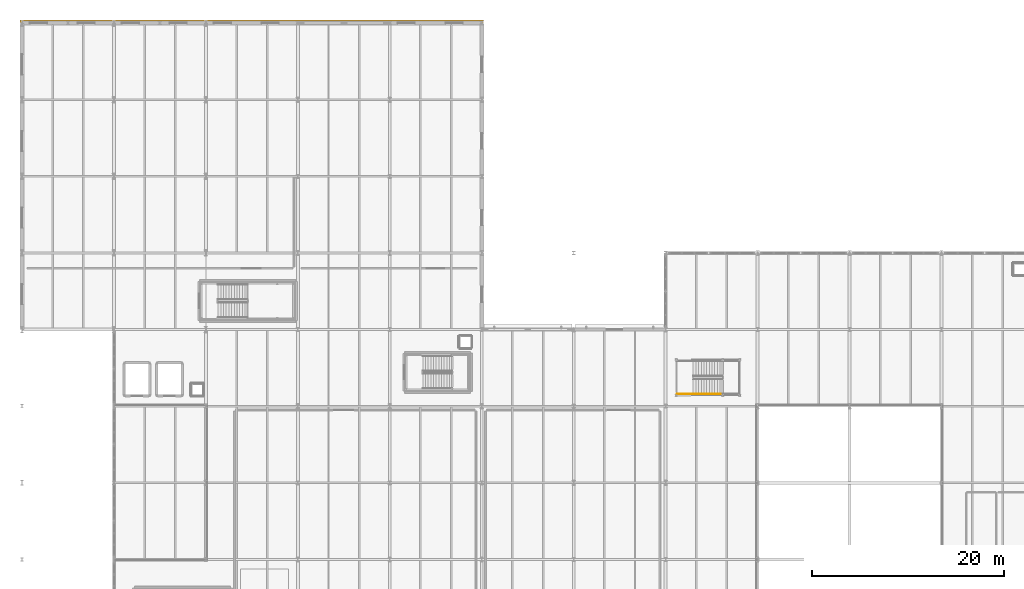
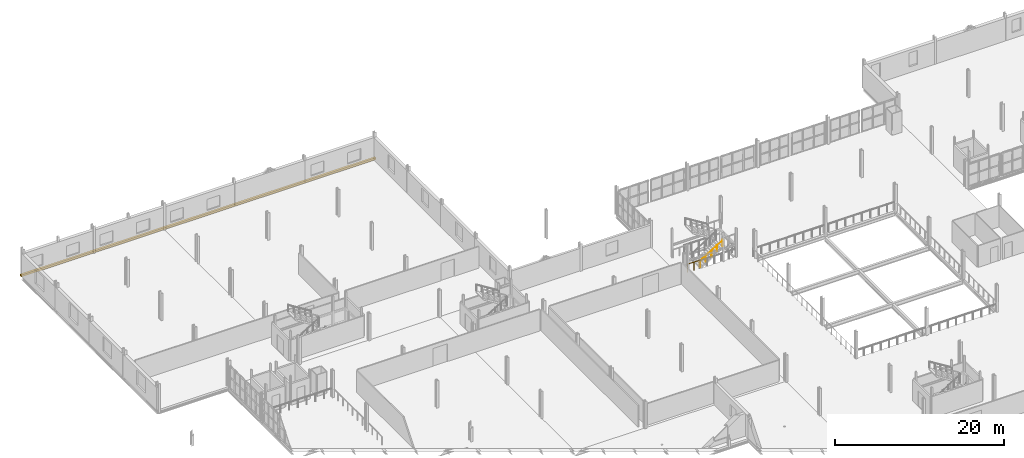
# One storey, part 73 of 78: 2 railings, 1 covering.
"""IFC4 building model written with IfcOpenShell, lengths in metres."""

import ifcopenshell
import ifcopenshell.guid

model = None  # the IFC model being written
_history = None  # IfcOwnerHistory: only IFC2X3 demands one
_inside = {}  # id of a spatial element -> (the spatial element, [elements in it])
_under = {}  # id of a project, library or spatial element -> (it, [spatial elements below it])
_declared = {}  # id of a project -> (the project, [libraries it declares])
_typed = {}  # id of a type object -> (the type object, [elements of that type])
_made_of = {}  # id of a material, layer set ... -> (it, [elements and type objects made of it])


def new_model(schema):
    """Start an empty IFC model of exactly this schema.

    Asked for "IFC4X3", IfcOpenShell would pick the latest addendum, in which some entities
    have other attributes; the version numbers below select the first issue.
    IFC2X3 requires an IfcOwnerHistory on every rooted entity: one is made here for all.
    """
    global model, _history
    if schema == "IFC4X3":
        model = ifcopenshell.file(schema_version=(4, 3, 0, 0))
    else:
        model = ifcopenshell.file(schema=schema)
    _inside.clear()
    _under.clear()
    _declared.clear()
    _typed.clear()
    _made_of.clear()
    _history = None
    if model.schema == "IFC2X3":
        org = make("IfcOrganization", Name="unknown")
        user = make(
            "IfcPersonAndOrganization",
            ThePerson=make("IfcPerson", FamilyName="unknown"),
            TheOrganization=org,
        )
        app = make(
            "IfcApplication",
            ApplicationDeveloper=org,
            Version="unknown",
            ApplicationFullName="unknown",
            ApplicationIdentifier="unknown",
        )
        _history = make(
            "IfcOwnerHistory",
            OwningUser=user,
            OwningApplication=app,
            ChangeAction="ADDED",
            CreationDate=0,
        )
    return model


def make(cls, **values):
    """One entity of the class cls with the attributes given. An attribute that is None is left unset."""
    return model.create_entity(
        cls, **{name: value for name, value in values.items() if value is not None}
    )


def rooted(cls, **values):
    """An entity with a GlobalId (a new one), such as an element, a storey or a relation."""
    return make(cls, GlobalId=ifcopenshell.guid.new(), OwnerHistory=_history, **values)


def si_unit(unit_type, name, prefix=None):
    """IfcSIUnit, for example si_unit("LENGTHUNIT", "METRE", prefix="MILLI")."""
    return make("IfcSIUnit", UnitType=unit_type, Prefix=prefix, Name=name)


def assignment(units):
    """IfcUnitAssignment: the units of a project."""
    return None if units is None else make("IfcUnitAssignment", Units=units)


def point(xyz):
    """IfcCartesianPoint."""
    return None if xyz is None else make("IfcCartesianPoint", Coordinates=xyz)


def direction(xyz):
    """IfcDirection."""
    return None if xyz is None else make("IfcDirection", DirectionRatios=xyz)


def frame(location, z_axis=None, x_axis=None):
    """IfcAxis2Placement3D, a coordinate frame: its origin and axes. An axis left out is left unset."""
    return make(
        "IfcAxis2Placement3D",
        Location=point(location),
        Axis=direction(z_axis),
        RefDirection=direction(x_axis),
    )


def frame_2d(location, x_axis=None):
    """IfcAxis2Placement2D, a coordinate frame in the plane: its origin and x axis."""
    return make(
        "IfcAxis2Placement2D", Location=point(location), RefDirection=direction(x_axis)
    )


def origin():
    """The frame at (0, 0, 0) with its axes left unset."""
    return frame((0.0, 0.0, 0.0))


def origin_2d():
    """The frame at (0, 0) in the plane with its x axis left unset."""
    return frame_2d((0.0, 0.0))


def place(relative_to, where):
    """IfcLocalPlacement: puts the frame where relative to a parent placement (None: the world)."""
    return make(
        "IfcLocalPlacement", PlacementRelTo=relative_to, RelativePlacement=where
    )


def context(
    kind, dimensions, precision=None, world=None, true_north=None, identifier=None
):
    """IfcGeometricRepresentationContext, for example the 3D "Model" context."""
    return make(
        "IfcGeometricRepresentationContext",
        ContextIdentifier=identifier,
        ContextType=kind,
        CoordinateSpaceDimension=dimensions,
        Precision=precision,
        WorldCoordinateSystem=world,
        TrueNorth=true_north,
    )


def subcontext(parent, identifier, kind, view, scale=None):
    """IfcGeometricRepresentationSubContext, for example "Body" below "Model"."""
    return make(
        "IfcGeometricRepresentationSubContext",
        ContextIdentifier=identifier,
        ContextType=kind,
        ParentContext=parent,
        TargetScale=scale,
        TargetView=view,
    )


def project(units=None, contexts=None):
    """IfcProject with its units and contexts."""
    return rooted(
        "IfcProject",
        Name="project",
        RepresentationContexts=contexts,
        UnitsInContext=assignment(units),
    )


def spatial(cls, under=None, at=None, **own):
    """A site, building, storey or space (cls), placed at a placement, below another one or the project."""
    s = rooted(cls, ObjectPlacement=at, **own)
    if under is not None:
        _under.setdefault(under.id(), (under, []))[1].append(s)
    return s


def profile(cls, at=None, kind="AREA", **sizes):
    """A parametric profile (cls). Its sizes go by their IFC names, for example OverallWidth=200.0."""
    return make(cls, ProfileType=kind, Position=at, **sizes)


def rectangle(**sizes):
    """IfcRectangleProfileDef."""
    return profile("IfcRectangleProfileDef", **sizes)


def circle(**sizes):
    """IfcCircleProfileDef."""
    return profile("IfcCircleProfileDef", **sizes)


def extrude(swept, where, along, depth):
    """IfcExtrudedAreaSolid: the profile swept, set in the frame where, extruded along a direction by depth."""
    return make(
        "IfcExtrudedAreaSolid",
        SweptArea=swept,
        Position=where,
        ExtrudedDirection=direction(along),
        Depth=depth,
    )


def shape(context_of_items, identifier, shape_type, items):
    """IfcShapeRepresentation: the items that make up one representation, for example the "Body"."""
    return make(
        "IfcShapeRepresentation",
        ContextOfItems=context_of_items,
        RepresentationIdentifier=identifier,
        RepresentationType=shape_type,
        Items=items,
    )


def material(Name=None, Category=None):
    """IfcMaterial."""
    return make("IfcMaterial", Name=Name, Category=Category)


def layer(
    of_material, thickness, ventilated=None, Name=None, Category=None, Priority=None
):
    """IfcMaterialLayer: one layer of a wall or slab, of a material (None: an air gap)."""
    return make(
        "IfcMaterialLayer",
        Material=of_material,
        LayerThickness=thickness,
        IsVentilated=ventilated,
        Name=Name,
        Category=Category,
        Priority=Priority,
    )


def layer_set(layers, Name=None):
    """IfcMaterialLayerSet."""
    return make("IfcMaterialLayerSet", MaterialLayers=layers, LayerSetName=Name)


def made_of(thing, what):
    """Note that an element or type object is made of a material, layer set ...; save() writes the relation."""
    if what is not None:
        _made_of.setdefault(what.id(), (what, []))[1].append(thing)
    return thing


def type_object(cls, material=None, **own):
    """A type object (cls), such as IfcWallType, which elements share."""
    return made_of(rooted(cls, **own), material)


def element(
    cls,
    number,
    at=None,
    inside=None,
    cuts=None,
    type_object=None,
    material=None,
    context=None,
    identifier="Body",
    shape_type=None,
    held_by="IfcProductDefinitionShape",
    body=None,
    shapes=None,
    **own,
):
    """One element of the class cls, such as IfcWall. Its Tag is "e" and its number.

    at: its placement. inside: the storey or other place that contains it. cuts: it is an
    opening in that element (IfcRelVoidsElement). A single representation is given by context,
    identifier, shape_type and body (its items); several are given by shapes. held_by: the class
    of the entity that holds the representations. save() writes the other relations.
    """
    e = rooted(cls, Tag="e%d" % number, ObjectPlacement=at, **own)
    if body is not None:
        shapes = [shape(context, identifier, shape_type, body)]
    if shapes is not None:
        e.Representation = make(held_by, Representations=shapes)
    if inside is not None:
        _inside.setdefault(inside.id(), (inside, []))[1].append(e)
    if cuts is not None:
        rooted(
            "IfcRelVoidsElement", RelatingBuildingElement=cuts, RelatedOpeningElement=e
        )
    if type_object is not None:
        _typed.setdefault(type_object.id(), (type_object, []))[1].append(e)
    return made_of(e, material)


def aggregate(whole, parts):
    """IfcRelAggregates: a whole, such as a stair, and the parts it consists of."""
    return rooted("IfcRelAggregates", RelatingObject=whole, RelatedObjects=parts)


def save(model, path):
    """Write the relations noted so far, then the file.

    IfcRelAggregates (storeys below a building ...), IfcRelContainedInSpatialStructure (elements
    in a storey), IfcRelDefinesByType, IfcRelAssociatesMaterial and IfcRelDeclares: one each for
    every whole, place, type object, material and project.
    """
    for whole, parts in _under.values():
        aggregate(whole, parts)
    for where, things in _inside.values():
        rooted(
            "IfcRelContainedInSpatialStructure",
            RelatedElements=things,
            RelatingStructure=where,
        )
    for kind, things in _typed.values():
        rooted("IfcRelDefinesByType", RelatedObjects=things, RelatingType=kind)
    for what, things in _made_of.values():
        rooted("IfcRelAssociatesMaterial", RelatedObjects=things, RelatingMaterial=what)
    for by, libraries in _declared.values():
        rooted("IfcRelDeclares", RelatingContext=by, RelatedDefinitions=libraries)
    model.write(path)


model = new_model("IFC4")

# Units and contexts
model_context = context("Model", 3, precision=1e-05, world=origin(), true_north=direction((0.0, 1.0)))
body_context = subcontext(model_context, "Body", "Model", "MODEL_VIEW")
ifc_project = project(units=[si_unit("LENGTHUNIT", "METRE"), si_unit("AREAUNIT", "SQUARE_METRE"), si_unit("VOLUMEUNIT", "CUBIC_METRE"), si_unit("PLANEANGLEUNIT", "RADIAN"), si_unit("MASSUNIT", "GRAM", prefix="KILO")], contexts=[model_context])

# Site, building, storey
site_placement = place(None, origin())
site = spatial("IfcSite", under=ifc_project, at=site_placement, CompositionType="ELEMENT")
building_placement = place(site_placement, origin())
building = spatial("IfcBuilding", under=site, at=building_placement, Name="Alderhovde Museum", CompositionType="ELEMENT")
storey_placement = place(building_placement, frame((0.0, 0.0, 4.5)))
storey = spatial("IfcBuildingStorey", under=building, at=storey_placement, Name="L01", CompositionType="ELEMENT", Elevation=4.5)

# Covering
ifc_material_1 = material(Name="Carved Jura Limestone Classical Cornice Moulding", Category="masonry")
ifc_layer = layer(ifc_material_1, 0.280029296875)
ifc_layer_set = layer_set([ifc_layer], Name="Carved Jura Limestone Classical Cornice Moulding")
covering_type = type_object("IfcCoveringType", Name="COV-CORNICE-STONE", PredefinedType="MOLDING", material=ifc_layer_set)
covering_placement = place(storey_placement, frame((9.39990234375, 112.179931640625, -0.199951171875), z_axis=(0.0, 0.0, 1.0), x_axis=(1.0, 0.0, 0.0)))
element("IfcCovering", 1, at=covering_placement, inside=storey, type_object=covering_type, Name="L01 Classical Beaux-Arts Limestone Cornice 13", PredefinedType="MOLDING", context=body_context, shape_type="SweptSolid", body=[
    extrude(rectangle(XDim=48.400146484375, YDim=0.280029296875, at=frame_2d((24.2001953125, 0.0))), origin(), (0.0, 0.0, 1.0), 0.280029296875),
])

# Railings
ifc_material_2 = material(Name="Painted Steel S355 Guardrail", Category="steel")
railing_type_1 = type_object("IfcRailingType", Name="RL-GUARD-1200", PredefinedType="GUARDRAIL", material=ifc_material_2)
railing_1_placement = place(storey_placement, frame((78.0, 73.25, 0.0)))
element("IfcRailing", 2, at=railing_1_placement, inside=storey, type_object=railing_type_1, Name="L01 ST5 stair guard 7", PredefinedType="GUARDRAIL", context=body_context, shape_type="SweptSolid", body=[
    extrude(circle(Radius=0.02392578125, at=origin_2d()), frame((0.0, 0.0, 1.17578125), z_axis=(1.0, 0.0, 0.0), x_axis=(0.0, 1.0, 0.0)), (0.0, 0.0, 1.0), 1.679931640625),
    extrude(circle(Radius=0.02099609375, at=origin_2d()), origin(), (0.0, 0.0, 1.0), 1.15185546875),
    extrude(circle(Radius=0.02099609375, at=origin_2d()), frame((0.83984375, 0.0, 0.0)), (0.0, 0.0, 1.0), 1.15185546875),
    extrude(circle(Radius=0.02099609375, at=origin_2d()), frame((1.679931640625, 0.0, 0.0)), (0.0, 0.0, 1.0), 1.15185546875),
])
ifc_material_3 = material(Name="Brushed Stainless Steel Handrail", Category="steel")
railing_type_2 = type_object("IfcRailingType", Name="RL-HANDRAIL-900", PredefinedType="HANDRAIL", material=ifc_material_3)
railing_2_placement = place(storey_placement, frame((79.679931640625, 73.25, 0.175048828125)))
element("IfcRailing", 3, at=railing_2_placement, inside=storey, type_object=railing_type_2, Name="L01 ST5 stair handrail 1", PredefinedType="HANDRAIL", context=body_context, shape_type="SweptSolid", body=[
    extrude(circle(Radius=0.02392578125, at=origin_2d()), frame((0.0, 0.0, 0.8759765625), z_axis=(0.847998304005, 0.0, 0.529998940003), x_axis=(0.0, 1.0, 0.0)), (0.0, 0.0, 1.0), 3.632080078125),
    extrude(circle(Radius=0.02099609375, at=origin_2d()), origin(), (0.0, 0.0, 1.0), 0.851806640625),
    extrude(circle(Radius=0.02099609375, at=origin_2d()), frame((0.77001953125, 0.0, 0.481201171875)), (0.0, 0.0, 1.0), 0.851806640625),
    extrude(circle(Radius=0.02099609375, at=origin_2d()), frame((1.5400390625, 0.0, 0.96240234375)), (0.0, 0.0, 1.0), 0.851806640625),
    extrude(circle(Radius=0.02099609375, at=origin_2d()), frame((2.31005859375, 0.0, 1.44384765625)), (0.0, 0.0, 1.0), 0.851806640625),
    extrude(circle(Radius=0.02099609375, at=origin_2d()), frame((3.080078125, 0.0, 1.925048828125)), (0.0, 0.0, 1.0), 0.851806640625),
])

save(model, "model.ifc")
